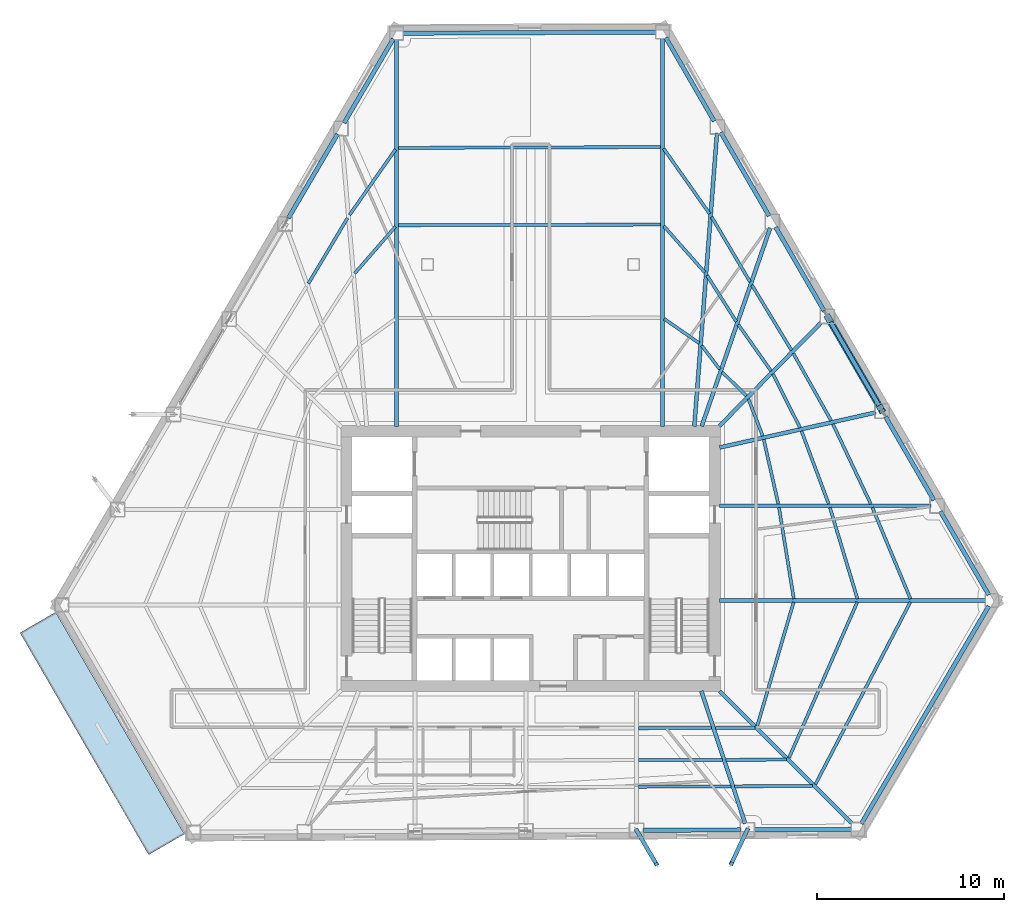
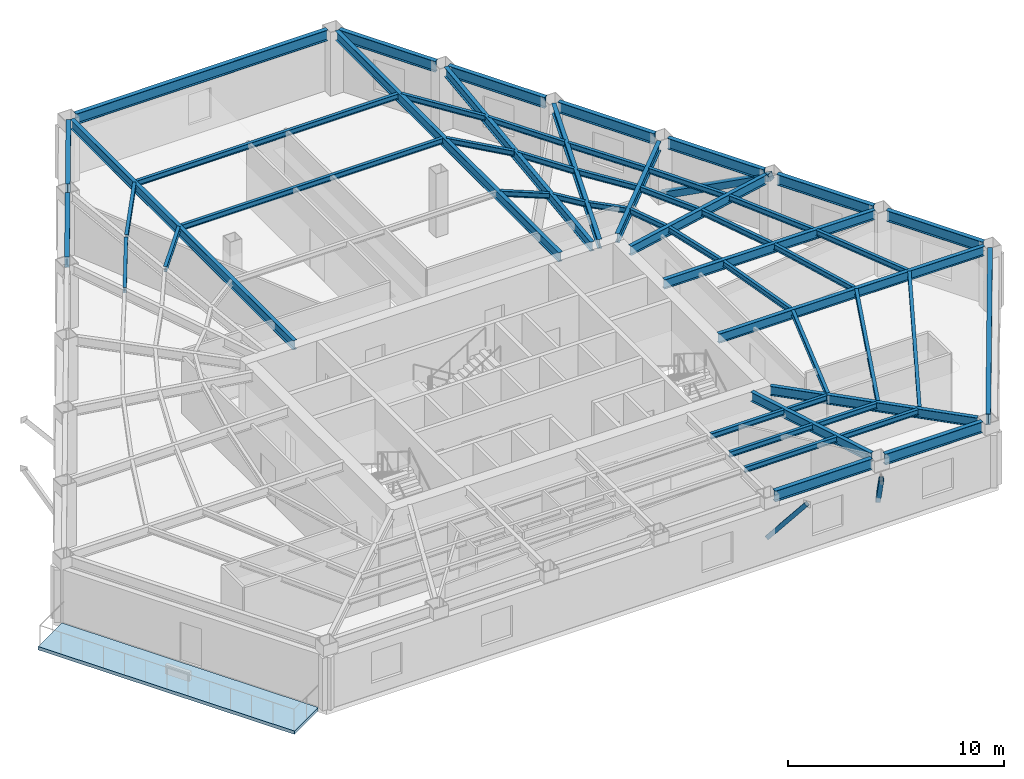
# One storey, part 3 of 15: 54 beams, 3 members, 1 slab.
"""IFC4 building model written with IfcOpenShell, lengths in metres."""

from ifc_helpers import new_model, si_unit, direction, frame, origin, origin_2d, place, context, subcontext, project, spatial, polyline, hollow_rectangle, i_section, outline, extrude, material, layer, layer_set, material_profile, profile_set, type_object, element, save


model = new_model("IFC4")

# Units and contexts
model_context = context("Model", 3, precision=1e-05, world=origin(), true_north=direction((0.0, 1.0)))
body_context = subcontext(model_context, "Body", "Model", "MODEL_VIEW")
ifc_project = project(units=[si_unit("LENGTHUNIT", "METRE"), si_unit("AREAUNIT", "SQUARE_METRE"), si_unit("VOLUMEUNIT", "CUBIC_METRE"), si_unit("PLANEANGLEUNIT", "RADIAN"), si_unit("MASSUNIT", "GRAM", prefix="KILO")], contexts=[model_context])

# Site, building, storey
site_placement = place(None, origin())
site = spatial("IfcSite", under=ifc_project, at=site_placement, CompositionType="ELEMENT")
building_placement = place(site_placement, origin())
building = spatial("IfcBuilding", under=site, at=building_placement, Name="Kavelnor Concourse Tower", CompositionType="ELEMENT")
storey_placement = place(building_placement, frame((0.0, 0.0, 67.60009765625)))
storey = spatial("IfcBuildingStorey", under=building, at=storey_placement, Name="L17", CompositionType="ELEMENT", Elevation=67.60009765625)

# Beams
ifc_material_1 = material(Name="Steel Grade 350", Category="steel")
ifc_material_profile_1 = material_profile(ifc_material_1, i_section(OverallWidth=0.166015625, OverallDepth=0.306884765625, WebThickness=0.006591796875, FlangeThickness=0.01171875, at=origin_2d()), Name="310UB46")
ifc_profile_set_1 = profile_set([ifc_material_profile_1], Name="Steel Grade 350")
beam_type_1 = type_object("IfcBeamType", Name="BM-JOIST-310", PredefinedType="JOIST", material=ifc_profile_set_1)
beam_1_placement = place(storey_placement, frame((43.750244140625, 7.05322265625, 3.4365234375), z_axis=(0.999998683149, 0.001622867846, 0.0), x_axis=(-0.001622867846, 0.999998683149, 0.0)))
element("IfcBeam", 1, at=beam_1_placement, inside=storey, type_object=beam_type_1, Name="L17 Secondary Composite Joist 06-1", PredefinedType="JOIST", context=body_context, shape_type="SweptSolid", body=[
    extrude(i_section(OverallWidth=0.166015625, OverallDepth=0.306884765625, WebThickness=0.006591796875, FlangeThickness=0.01171875, at=origin_2d()), origin(), (0.0, 0.0, 1.0), 3.911376953125),
])
beam_2_placement = place(storey_placement, frame((43.750244140625, 5.350341796875, 3.4365234375), z_axis=(0.999995656809, 0.002947263698, 0.0), x_axis=(-0.002947263698, 0.999995656809, 0.0)))
element("IfcBeam", 2, at=beam_2_placement, inside=storey, type_object=beam_type_1, Name="L17 Secondary Composite Joist 06-2", PredefinedType="JOIST", context=body_context, shape_type="SweptSolid", body=[
    extrude(i_section(OverallWidth=0.166015625, OverallDepth=0.306884765625, WebThickness=0.006591796875, FlangeThickness=0.01171875, at=origin_2d()), origin(), (0.0, 0.0, 1.0), 4.47314453125),
])
beam_3_placement = place(storey_placement, frame((43.750244140625, 3.93115234375, 3.4365234375), z_axis=(0.99999238275, 0.003903132324, 0.0), x_axis=(-0.003903132324, 0.99999238275, 0.0)))
element("IfcBeam", 3, at=beam_3_placement, inside=storey, type_object=beam_type_1, Name="L17 Secondary Composite Joist 06-3", PredefinedType="JOIST", context=body_context, shape_type="SweptSolid", body=[
    extrude(i_section(OverallWidth=0.166015625, OverallDepth=0.306884765625, WebThickness=0.006591796875, FlangeThickness=0.01171875, at=origin_2d()), origin(), (0.0, 0.0, 1.0), 4.94140625),
])
beam_4_placement = place(storey_placement, frame((47.8583984375, 7.059814453125, 3.4365234375), z_axis=(0.99999885935, 0.00151039679, 0.0), x_axis=(-0.00151039679, 0.99999885935, 0.0)))
element("IfcBeam", 4, at=beam_4_placement, inside=storey, type_object=beam_type_1, Name="L17 Secondary Composite Joist 07-1", PredefinedType="JOIST", context=body_context, shape_type="SweptSolid", body=[
    extrude(i_section(OverallWidth=0.166015625, OverallDepth=0.306884765625, WebThickness=0.006591796875, FlangeThickness=0.01171875, at=origin_2d()), origin(), (0.0, 0.0, 1.0), 2.101318359375),
])
beam_5_placement = place(storey_placement, frame((48.42041015625, 5.364501953125, 3.4365234375), z_axis=(0.99999133007, 0.004164106841, 0.0), x_axis=(-0.004164106841, 0.99999133007, 0.0)))
element("IfcBeam", 5, at=beam_5_placement, inside=storey, type_object=beam_type_1, Name="L17 Secondary Composite Joist 07-2", PredefinedType="JOIST", context=body_context, shape_type="SweptSolid", body=[
    extrude(i_section(OverallWidth=0.166015625, OverallDepth=0.306884765625, WebThickness=0.006591796875, FlangeThickness=0.01171875, at=origin_2d()), origin(), (0.0, 0.0, 1.0), 3.224609375),
])
beam_6_placement = place(storey_placement, frame((48.888671875, 3.951416015625, 3.4365234375), z_axis=(0.999985432229, 0.005397715311, 0.0), x_axis=(-0.005397715311, 0.999985432229, 0.0)))
element("IfcBeam", 6, at=beam_6_placement, inside=storey, type_object=beam_type_1, Name="L17 Secondary Composite Joist 07-3", PredefinedType="JOIST", context=body_context, shape_type="SweptSolid", body=[
    extrude(i_section(OverallWidth=0.166015625, OverallDepth=0.306884765625, WebThickness=0.006591796875, FlangeThickness=0.01171875, at=origin_2d()), origin(), (0.0, 0.0, 1.0), 4.1611328125),
])
beam_7_placement = place(storey_placement, frame((50.0859375, 7.15771484375, 3.4365234375), z_axis=(0.281642731311, 0.959519344203, 0.0), x_axis=(-0.959519344203, 0.281642731311, 0.0)))
element("IfcBeam", 7, at=beam_7_placement, inside=storey, type_object=beam_type_1, Name="L17 Secondary Composite Joist 08-1", PredefinedType="JOIST", context=body_context, shape_type="SweptSolid", body=[
    extrude(i_section(OverallWidth=0.166015625, OverallDepth=0.306884765625, WebThickness=0.006591796875, FlangeThickness=0.01171875, at=origin_2d()), origin(), (0.0, 0.0, 1.0), 6.892333984375),
])
beam_8_placement = place(storey_placement, frame((51.783203125, 5.468505859375, 3.4365234375), z_axis=(0.401249517147, 0.915968790401, 0.0), x_axis=(-0.915968790401, 0.401249517147, 0.0)))
element("IfcBeam", 8, at=beam_8_placement, inside=storey, type_object=beam_type_1, Name="L17 Secondary Composite Joist 08-2", PredefinedType="JOIST", context=body_context, shape_type="SweptSolid", body=[
    extrude(i_section(OverallWidth=0.166015625, OverallDepth=0.306884765625, WebThickness=0.006591796875, FlangeThickness=0.01171875, at=origin_2d()), origin(), (0.0, 0.0, 1.0), 9.06884765625),
])
beam_9_placement = place(storey_placement, frame((53.193603515625, 4.061767578125, 3.4365234375), z_axis=(0.462019871447, 0.886869572366, 0.0), x_axis=(-0.886869572366, 0.462019871447, 0.0)))
element("IfcBeam", 9, at=beam_9_placement, inside=storey, type_object=beam_type_1, Name="L17 Secondary Composite Joist 08-3", PredefinedType="JOIST", context=body_context, shape_type="SweptSolid", body=[
    extrude(i_section(OverallWidth=0.166015625, OverallDepth=0.306884765625, WebThickness=0.006591796875, FlangeThickness=0.01171875, at=origin_2d()), origin(), (0.0, 0.0, 1.0), 10.955810546875),
])
beam_10_placement = place(storey_placement, frame((52.0390625, 13.962646484375, 3.4365234375), z_axis=(-0.16020042407, 0.987084507085, 0.0), x_axis=(-0.987084507085, -0.16020042407, 0.0)))
element("IfcBeam", 10, at=beam_10_placement, inside=storey, type_object=beam_type_1, Name="L17 Secondary Composite Joist 09-1", PredefinedType="JOIST", context=body_context, shape_type="SweptSolid", body=[
    extrude(i_section(OverallWidth=0.166015625, OverallDepth=0.306884765625, WebThickness=0.006591796875, FlangeThickness=0.01171875, at=origin_2d()), origin(), (0.0, 0.0, 1.0), 4.923828125),
])
beam_11_placement = place(storey_placement, frame((55.433349609375, 13.959716796875, 3.4365234375), z_axis=(-0.288555179931, 0.957463267251, 0.0), x_axis=(-0.957463267251, -0.288555179931, 0.0)))
element("IfcBeam", 11, at=beam_11_placement, inside=storey, type_object=beam_type_1, Name="L17 Secondary Composite Joist 09-2", PredefinedType="JOIST", context=body_context, shape_type="SweptSolid", body=[
    extrude(i_section(OverallWidth=0.166015625, OverallDepth=0.306884765625, WebThickness=0.006591796875, FlangeThickness=0.01171875, at=origin_2d()), origin(), (0.0, 0.0, 1.0), 5.08251953125),
])
beam_12_placement = place(storey_placement, frame((58.262939453125, 13.956298828125, 3.4365234375), z_axis=(-0.385101221701, 0.922874340875, 0.0), x_axis=(-0.922874340875, -0.385101221701, 0.0)))
element("IfcBeam", 12, at=beam_12_placement, inside=storey, type_object=beam_type_1, Name="L17 Secondary Composite Joist 09-3", PredefinedType="JOIST", context=body_context, shape_type="SweptSolid", body=[
    extrude(i_section(OverallWidth=0.166015625, OverallDepth=0.306884765625, WebThickness=0.006591796875, FlangeThickness=0.01171875, at=origin_2d()), origin(), (0.0, 0.0, 1.0), 5.2802734375),
])
beam_13_placement = place(storey_placement, frame((51.212890625, 19.016357421875, 3.4365234375), z_axis=(-0.220265122054, 0.975440042241, 0.0), x_axis=(-0.975440042241, -0.220265122054, 0.0)))
element("IfcBeam", 13, at=beam_13_placement, inside=storey, type_object=beam_type_1, Name="L17 Secondary Composite Joist 10-1", PredefinedType="JOIST", context=body_context, shape_type="SweptSolid", body=[
    extrude(i_section(OverallWidth=0.166015625, OverallDepth=0.306884765625, WebThickness=0.006591796875, FlangeThickness=0.01171875, at=origin_2d()), origin(), (0.0, 0.0, 1.0), 3.52587890625),
])
beam_14_placement = place(storey_placement, frame((53.90380859375, 19.0126953125, 3.4365234375), z_axis=(-0.349758975108, 0.936839719125, 0.0), x_axis=(-0.936839719125, -0.349758975108, 0.0)))
element("IfcBeam", 14, at=beam_14_placement, inside=storey, type_object=beam_type_1, Name="L17 Secondary Composite Joist 10-2", PredefinedType="JOIST", context=body_context, shape_type="SweptSolid", body=[
    extrude(i_section(OverallWidth=0.166015625, OverallDepth=0.306884765625, WebThickness=0.006591796875, FlangeThickness=0.01171875, at=origin_2d()), origin(), (0.0, 0.0, 1.0), 4.158203125),
])
beam_15_placement = place(storey_placement, frame((56.1494140625, 19.00927734375, 3.4365234375), z_axis=(-0.428041985509, 0.903758849828, 0.0), x_axis=(-0.903758849828, -0.428041985509, 0.0)))
element("IfcBeam", 15, at=beam_15_placement, inside=storey, type_object=beam_type_1, Name="L17 Secondary Composite Joist 10-3", PredefinedType="JOIST", context=body_context, shape_type="SweptSolid", body=[
    extrude(i_section(OverallWidth=0.166015625, OverallDepth=0.306884765625, WebThickness=0.006591796875, FlangeThickness=0.01171875, at=origin_2d()), origin(), (0.0, 0.0, 1.0), 4.731689453125),
])
beam_16_placement = place(storey_placement, frame((50.37939453125, 22.6435546875, 3.4365234375), z_axis=(-0.359202942846, 0.933259474021, 0.0), x_axis=(-0.933259474021, -0.359202942846, 0.0)))
element("IfcBeam", 16, at=beam_16_placement, inside=storey, type_object=beam_type_1, Name="L17 Secondary Composite Joist 11-1", PredefinedType="JOIST", context=body_context, shape_type="SweptSolid", body=[
    extrude(i_section(OverallWidth=0.166015625, OverallDepth=0.306884765625, WebThickness=0.006591796875, FlangeThickness=0.01171875, at=origin_2d()), origin(), (0.0, 0.0, 1.0), 2.119140625),
])
beam_17_placement = place(storey_placement, frame((52.37060546875, 23.08837890625, 3.4365234375), z_axis=(-0.45083857871, 0.892605498497, 0.0), x_axis=(-0.892605498497, -0.45083857871, 0.0)))
element("IfcBeam", 17, at=beam_17_placement, inside=storey, type_object=beam_type_1, Name="L17 Secondary Composite Joist 11-2", PredefinedType="JOIST", context=body_context, shape_type="SweptSolid", body=[
    extrude(i_section(OverallWidth=0.166015625, OverallDepth=0.306884765625, WebThickness=0.006591796875, FlangeThickness=0.01171875, at=origin_2d()), origin(), (0.0, 0.0, 1.0), 3.20263671875),
])
beam_18_placement = place(storey_placement, frame((54.033447265625, 23.460693359375, 3.4365234375), z_axis=(-0.490396305018, 0.871499549067, 0.0), x_axis=(-0.871499549067, -0.490396305018, 0.0)))
element("IfcBeam", 18, at=beam_18_placement, inside=storey, type_object=beam_type_1, Name="L17 Secondary Composite Joist 11-3", PredefinedType="JOIST", context=body_context, shape_type="SweptSolid", body=[
    extrude(i_section(OverallWidth=0.166015625, OverallDepth=0.306884765625, WebThickness=0.006591796875, FlangeThickness=0.01171875, at=origin_2d()), origin(), (0.0, 0.0, 1.0), 4.119140625),
])
beam_19_placement = place(storey_placement, frame((49.5126953125, 24.782470703125, 3.4365234375), z_axis=(-0.712931802459, 0.701233374165, 0.0), x_axis=(-0.701233374165, -0.712931802459, 0.0)))
element("IfcBeam", 19, at=beam_19_placement, inside=storey, type_object=beam_type_1, Name="L17 Secondary Composite Joist 12-1", PredefinedType="JOIST", context=body_context, shape_type="SweptSolid", body=[
    extrude(i_section(OverallWidth=0.166015625, OverallDepth=0.306884765625, WebThickness=0.006591796875, FlangeThickness=0.01171875, at=origin_2d()), origin(), (0.0, 0.0, 1.0), 1.815673828125),
])
beam_20_placement = place(storey_placement, frame((50.825439453125, 26.115478515625, 3.4365234375), z_axis=(-0.57701937952, 0.816730454714, 0.0), x_axis=(-0.816730454714, -0.57701937952, 0.0)))
element("IfcBeam", 20, at=beam_20_placement, inside=storey, type_object=beam_type_1, Name="L17 Secondary Composite Joist 12-2", PredefinedType="JOIST", context=body_context, shape_type="SweptSolid", body=[
    extrude(i_section(OverallWidth=0.166015625, OverallDepth=0.306884765625, WebThickness=0.006591796875, FlangeThickness=0.01171875, at=origin_2d()), origin(), (0.0, 0.0, 1.0), 3.021728515625),
])
beam_21_placement = place(storey_placement, frame((51.9140625, 27.220458984375, 3.4365234375), z_axis=(-0.518492089815, 0.855082424565, 0.0), x_axis=(-0.855082424565, -0.518492089815, 0.0)))
element("IfcBeam", 21, at=beam_21_placement, inside=storey, type_object=beam_type_1, Name="L17 Secondary Composite Joist 12-3", PredefinedType="JOIST", context=body_context, shape_type="SweptSolid", body=[
    extrude(i_section(OverallWidth=0.166015625, OverallDepth=0.306884765625, WebThickness=0.006591796875, FlangeThickness=0.01171875, at=origin_2d()), origin(), (0.0, 0.0, 1.0), 4.06396484375),
])
beam_22_placement = place(storey_placement, frame((48.08837890625, 26.202880859375, 3.4365234375), z_axis=(-0.605717442485, 0.795679822459, 0.0), x_axis=(-0.795679822459, -0.605717442485, 0.0)))
element("IfcBeam", 22, at=beam_22_placement, inside=storey, type_object=beam_type_1, Name="L17 Secondary Composite Joist 13-1", PredefinedType="JOIST", context=body_context, shape_type="SweptSolid", body=[
    extrude(i_section(OverallWidth=0.166015625, OverallDepth=0.306884765625, WebThickness=0.006591796875, FlangeThickness=0.01171875, at=origin_2d()), origin(), (0.0, 0.0, 1.0), 1.580810546875),
])
beam_23_placement = place(storey_placement, frame((48.972412109375, 28.7470703125, 3.4365234375), z_axis=(-0.534862711681, 0.84493897984, 0.0), x_axis=(-0.84493897984, -0.534862711681, 0.0)))
element("IfcBeam", 23, at=beam_23_placement, inside=storey, type_object=beam_type_1, Name="L17 Secondary Composite Joist 13-2", PredefinedType="JOIST", context=body_context, shape_type="SweptSolid", body=[
    extrude(i_section(OverallWidth=0.166015625, OverallDepth=0.306884765625, WebThickness=0.006591796875, FlangeThickness=0.01171875, at=origin_2d()), origin(), (0.0, 0.0, 1.0), 2.9140625),
])
beam_24_placement = place(storey_placement, frame((49.705810546875, 30.86474609375, 3.4365234375), z_axis=(-0.509071964844, 0.860723959589, 0.0), x_axis=(-0.860723959589, -0.509071964844, 0.0)))
element("IfcBeam", 24, at=beam_24_placement, inside=storey, type_object=beam_type_1, Name="L17 Secondary Composite Joist 13-3", PredefinedType="JOIST", context=body_context, shape_type="SweptSolid", body=[
    extrude(i_section(OverallWidth=0.166015625, OverallDepth=0.306884765625, WebThickness=0.006591796875, FlangeThickness=0.01171875, at=origin_2d()), origin(), (0.0, 0.0, 1.0), 4.0322265625),
])
beam_25_placement = place(storey_placement, frame((46.990234375, 27.59521484375, 3.4365234375), z_axis=(-0.820713106294, 0.571340526443, 0.0), x_axis=(-0.571340526443, -0.820713106294, 0.0)))
element("IfcBeam", 25, at=beam_25_placement, inside=storey, type_object=beam_type_1, Name="L17 Secondary Composite Joist 14-1", PredefinedType="JOIST", context=body_context, shape_type="SweptSolid", body=[
    extrude(i_section(OverallWidth=0.166015625, OverallDepth=0.306884765625, WebThickness=0.006591796875, FlangeThickness=0.01171875, at=origin_2d()), origin(), (0.0, 0.0, 1.0), 2.280029296875),
])
beam_26_placement = place(storey_placement, frame((47.2958984375, 31.3662109375, 3.4365234375), z_axis=(-0.662223792914, 0.749306111078, 0.0), x_axis=(-0.749306111078, -0.662223792914, 0.0)))
element("IfcBeam", 26, at=beam_26_placement, inside=storey, type_object=beam_type_1, Name="L17 Secondary Composite Joist 14-2", PredefinedType="JOIST", context=body_context, shape_type="SweptSolid", body=[
    extrude(i_section(OverallWidth=0.166015625, OverallDepth=0.306884765625, WebThickness=0.006591796875, FlangeThickness=0.01171875, at=origin_2d()), origin(), (0.0, 0.0, 1.0), 3.31103515625),
])
beam_27_placement = place(storey_placement, frame((47.546142578125, 34.500732421875, 3.4365234375), z_axis=(-0.576054604219, 0.817411214113, 0.0), x_axis=(-0.817411214113, -0.576054604219, 0.0)))
element("IfcBeam", 27, at=beam_27_placement, inside=storey, type_object=beam_type_1, Name="L17 Secondary Composite Joist 14-3", PredefinedType="JOIST", context=body_context, shape_type="SweptSolid", body=[
    extrude(i_section(OverallWidth=0.166015625, OverallDepth=0.306884765625, WebThickness=0.006591796875, FlangeThickness=0.01171875, at=origin_2d()), origin(), (0.0, 0.0, 1.0), 4.255615234375),
])
for number, where, z_axis, x_axis, name in (
    (28, (44.939453125, 33.920654296875, 3.4365234375), (-0.999997226531, -0.002355192351, 0.0), (0.002355192351, -0.999997226531, 0.0), "L17 Secondary Composite Joist 15-2"),
    (29, (44.939453125, 38.059326171875, 3.4365234375), (-0.999994735222, -0.0032449236, 0.0), (0.0032449236, -0.999994735222, 0.0), "L17 Secondary Composite Joist 15-3"),
):
    element("IfcBeam", number, at=place(storey_placement, frame(where, z_axis=z_axis, x_axis=x_axis)), inside=storey, type_object=beam_type_1, Name=name, PredefinedType="JOIST", context=body_context, shape_type="SweptSolid", body=[
        extrude(i_section(OverallWidth=0.166015625, OverallDepth=0.306884765625, WebThickness=0.006591796875, FlangeThickness=0.01171875, at=origin_2d()), origin(), (0.0, 0.0, 1.0), 13.994140625),
    ])
beam_28_placement = place(storey_placement, frame((30.7822265625, 33.813232421875, 3.4365234375), z_axis=(-0.656037881698, -0.754727962764, 0.0), x_axis=(0.754727962764, -0.656037881698, 0.0)))
element("IfcBeam", 30, at=beam_28_placement, inside=storey, type_object=beam_type_1, Name="L17 Secondary Composite Joist 16-2", PredefinedType="JOIST", context=body_context, shape_type="SweptSolid", body=[
    extrude(i_section(OverallWidth=0.166015625, OverallDepth=0.306884765625, WebThickness=0.006591796875, FlangeThickness=0.01171875, at=origin_2d()), origin(), (0.0, 0.0, 1.0), 3.304931640625),
])
beam_29_placement = place(storey_placement, frame((30.790283203125, 37.932861328125, 3.4365234375), z_axis=(-0.574408960865, -0.81856847342, 0.0), x_axis=(0.81856847342, -0.574408960865, 0.0)))
element("IfcBeam", 31, at=beam_29_placement, inside=storey, type_object=beam_type_1, Name="L17 Secondary Composite Joist 16-3", PredefinedType="JOIST", context=body_context, shape_type="SweptSolid", body=[
    extrude(i_section(OverallWidth=0.166015625, OverallDepth=0.306884765625, WebThickness=0.006591796875, FlangeThickness=0.01171875, at=origin_2d()), origin(), (0.0, 0.0, 1.0), 4.273681640625),
])
beam_30_placement = place(storey_placement, frame((28.228271484375, 34.269287109375, 3.4365234375), z_axis=(-0.513126955022, -0.858312721582, 0.0), x_axis=(0.858312721582, -0.513126955022, 0.0)))
element("IfcBeam", 32, at=beam_30_placement, inside=storey, type_object=beam_type_1, Name="L17 Secondary Composite Joist 17-3", PredefinedType="JOIST", context=body_context, shape_type="SweptSolid", body=[
    extrude(i_section(OverallWidth=0.166015625, OverallDepth=0.306884765625, WebThickness=0.006591796875, FlangeThickness=0.01171875, at=origin_2d()), origin(), (0.0, 0.0, 1.0), 4.067626953125),
])
ifc_material_profile_2 = material_profile(ifc_material_1, i_section(OverallWidth=0.208984375, OverallDepth=0.528076171875, WebThickness=0.009521484375, FlangeThickness=0.01318359375, at=origin_2d()), Name="530UB82")
ifc_profile_set_2 = profile_set([ifc_material_profile_2], Name="Steel Grade 350")
beam_type_2 = type_object("IfcBeamType", Name="BM-PRIMARY-530", PredefinedType="BEAM", material=ifc_profile_set_2)
beam_31_placement = place(storey_placement, frame((30.846923828125, 23.159912109375, 3.325927734375), z_axis=(0.0, 1.0, 0.0), x_axis=(-1.0, 0.0, 0.0)))
element("IfcBeam", 33, at=beam_31_placement, inside=storey, type_object=beam_type_2, Name="L17 Primary Floor Girder F0-B0", PredefinedType="BEAM", context=body_context, shape_type="SweptSolid", body=[
    extrude(i_section(OverallWidth=0.208984375, OverallDepth=0.528076171875, WebThickness=0.009521484375, FlangeThickness=0.01318359375, at=origin_2d()), origin(), (0.0, 0.0, 1.0), 20.6298828125),
])
beam_32_placement = place(storey_placement, frame((47.1044921875, 9.0380859375, 3.325927734375), z_axis=(0.314544667857, -0.949242672831, 0.0), x_axis=(0.949242672831, 0.314544667857, 0.0)))
element("IfcBeam", 34, at=beam_32_placement, inside=storey, type_object=beam_type_2, Name="L17 Primary Floor Girder F1-B5", PredefinedType="BEAM", context=body_context, shape_type="SweptSolid", body=[
    extrude(i_section(OverallWidth=0.208984375, OverallDepth=0.528076171875, WebThickness=0.009521484375, FlangeThickness=0.01318359375, at=origin_2d()), origin(), (0.0, 0.0, 1.0), 7.443603515625),
])
beam_33_placement = place(storey_placement, frame((48.091796875, 9.02880859375, 3.325927734375), z_axis=(0.707241996171, -0.706971540341, 0.0), x_axis=(0.706971540341, 0.707241996171, 0.0)))
element("IfcBeam", 35, at=beam_33_placement, inside=storey, type_object=beam_type_2, Name="L17 Primary Floor Girder F1-B6", PredefinedType="BEAM", context=body_context, shape_type="SweptSolid", body=[
    extrude(i_section(OverallWidth=0.208984375, OverallDepth=0.528076171875, WebThickness=0.009521484375, FlangeThickness=0.01318359375, at=origin_2d()), origin(), (0.0, 0.0, 1.0), 9.9296875),
])
beam_34_placement = place(storey_placement, frame((48.080078125, 13.865478515625, 3.325927734375), z_axis=(1.0, 0.0, 0.0), x_axis=(0.0, 1.0, 0.0)))
element("IfcBeam", 36, at=beam_34_placement, inside=storey, type_object=beam_type_2, Name="L17 Primary Floor Girder F2-B0", PredefinedType="BEAM", context=body_context, shape_type="SweptSolid", body=[
    extrude(i_section(OverallWidth=0.208984375, OverallDepth=0.528076171875, WebThickness=0.009521484375, FlangeThickness=0.01318359375, at=origin_2d()), origin(), (0.0, 0.0, 1.0), 14.195556640625),
])
beam_35_placement = place(storey_placement, frame((48.080078125, 18.92041015625, 3.325927734375), z_axis=(1.0, 0.0, 0.0), x_axis=(0.0, 1.0, 0.0)))
element("IfcBeam", 37, at=beam_35_placement, inside=storey, type_object=beam_type_2, Name="L17 Primary Floor Girder F2-B1", PredefinedType="BEAM", context=body_context, shape_type="SweptSolid", body=[
    extrude(i_section(OverallWidth=0.208984375, OverallDepth=0.528076171875, WebThickness=0.009521484375, FlangeThickness=0.01318359375, at=origin_2d()), origin(), (0.0, 0.0, 1.0), 11.26611328125),
])
beam_36_placement = place(storey_placement, frame((48.0810546875, 22.02783203125, 3.325927734375), z_axis=(0.975726224121, 0.218993916727, 0.0), x_axis=(-0.218993916727, 0.975726224121, 0.0)))
element("IfcBeam", 38, at=beam_36_placement, inside=storey, type_object=beam_type_2, Name="L17 Primary Floor Girder F2-B2", PredefinedType="BEAM", context=body_context, shape_type="SweptSolid", body=[
    extrude(i_section(OverallWidth=0.208984375, OverallDepth=0.528076171875, WebThickness=0.009521484375, FlangeThickness=0.01318359375, at=origin_2d()), origin(), (0.0, 0.0, 1.0), 8.541748046875),
])
beam_37_placement = place(storey_placement, frame((48.06689453125, 23.17138671875, 3.325927734375), z_axis=(0.701090661609, 0.713072145161, 0.0), x_axis=(-0.713072145161, 0.701090661609, 0.0)))
element("IfcBeam", 39, at=beam_37_placement, inside=storey, type_object=beam_type_2, Name="L17 Primary Floor Girder F2-B3", PredefinedType="BEAM", context=body_context, shape_type="SweptSolid", body=[
    extrude(i_section(OverallWidth=0.208984375, OverallDepth=0.528076171875, WebThickness=0.009521484375, FlangeThickness=0.01318359375, at=origin_2d()), origin(), (0.0, 0.0, 1.0), 7.72265625),
])
beam_38_placement = place(storey_placement, frame((47.125, 23.162109375, 3.325927734375), z_axis=(0.326449748436, 0.945214558577, 0.0), x_axis=(-0.945214558577, 0.326449748436, 0.0)))
element("IfcBeam", 40, at=beam_38_placement, inside=storey, type_object=beam_type_2, Name="L17 Primary Floor Girder F2-B4", PredefinedType="BEAM", context=body_context, shape_type="SweptSolid", body=[
    extrude(i_section(OverallWidth=0.208984375, OverallDepth=0.528076171875, WebThickness=0.009521484375, FlangeThickness=0.01318359375, at=origin_2d()), origin(), (0.0, 0.0, 1.0), 11.193359375),
])
beam_39_placement = place(storey_placement, frame((46.73291015625, 23.16015625, 3.325927734375), z_axis=(0.077044039291, 0.997027690694, 0.0), x_axis=(-0.997027690694, 0.077044039291, 0.0)))
element("IfcBeam", 41, at=beam_39_placement, inside=storey, type_object=beam_type_2, Name="L17 Primary Floor Girder F2-B5", PredefinedType="BEAM", context=body_context, shape_type="SweptSolid", body=[
    extrude(i_section(OverallWidth=0.208984375, OverallDepth=0.528076171875, WebThickness=0.009521484375, FlangeThickness=0.01318359375, at=origin_2d()), origin(), (0.0, 0.0, 1.0), 15.685791015625),
])
beam_40_placement = place(storey_placement, frame((45.0380859375, 23.159912109375, 3.325927734375), z_axis=(0.0, 1.0, 0.0), x_axis=(-1.0, 0.0, 0.0)))
element("IfcBeam", 42, at=beam_40_placement, inside=storey, type_object=beam_type_2, Name="L17 Primary Floor Girder F2-B6", PredefinedType="BEAM", context=body_context, shape_type="SweptSolid", body=[
    extrude(i_section(OverallWidth=0.208984375, OverallDepth=0.528076171875, WebThickness=0.009521484375, FlangeThickness=0.01318359375, at=origin_2d()), origin(), (0.0, 0.0, 1.0), 20.694091796875),
])
ifc_material_profile_3 = material_profile(ifc_material_1, i_section(OverallWidth=0.22900390625, OverallDepth=0.612060546875, WebThickness=0.011962890625, FlangeThickness=0.01953125, at=origin_2d()), Name="610UB125")
ifc_profile_set_3 = profile_set([ifc_material_profile_3], Name="Steel Grade 350")
beam_type_3 = type_object("IfcBeamType", Name="BM-SPANDREL-Z1", PredefinedType="SPANDREL", material=ifc_profile_set_3)
for number, where, z_axis, x_axis, name in (
    (43, (30.672607421875, 43.832275390625, 3.283935546875), (-0.505318213168, -0.86293308167, 0.0), (0.86293308167, -0.505318213168, 0.0), "L17 Perimeter Tube Spandrel Beam F0-B0"),
    (44, (27.6962890625, 38.74951171875, 3.283935546875), (-0.505373646849, -0.862900618305, 0.0), (0.862900618305, -0.505373646849, 0.0), "L17 Perimeter Tube Spandrel Beam F0-B1"),
):
    element("IfcBeam", number, at=place(storey_placement, frame(where, z_axis=z_axis, x_axis=x_axis)), inside=storey, type_object=beam_type_3, Name=name, PredefinedType="SPANDREL", context=body_context, shape_type="SweptSolid", body=[
        extrude(i_section(OverallWidth=0.22900390625, OverallDepth=0.612060546875, WebThickness=0.011962890625, FlangeThickness=0.01953125, at=origin_2d()), origin(), (0.0, 0.0, 1.0), 5.199951171875),
    ])
beam_41_placement = place(storey_placement, frame((44.693115234375, 44.1923828125, 3.283935546875), z_axis=(-0.999989863311, -0.004502585414, 0.0), x_axis=(0.004502585414, -0.999989863311, 0.0)))
element("IfcBeam", 45, at=beam_41_placement, inside=storey, type_object=beam_type_3, Name="L17 Chamfer Facet Spandrel Beam C0", PredefinedType="SPANDREL", context=body_context, shape_type="SweptSolid", body=[
    extrude(i_section(OverallWidth=0.22900390625, OverallDepth=0.612060546875, WebThickness=0.011962890625, FlangeThickness=0.01953125, at=origin_2d()), origin(), (0.0, 0.0, 1.0), 13.50146484375),
])
for number, where, z_axis, x_axis, name in (
    (46, (43.996826171875, 1.60546875, 3.283935546875), (0.999989909868, 0.004492233568, 0.0), (-0.004492233568, 0.999989909868, 0.0), "L17 Perimeter Tube Spandrel Beam F1-B4"),
    (47, (49.904052734375, 1.632080078125, 3.283935546875), (0.999989909868, 0.004492233568, 0.0), (-0.004492233568, 0.999989909868, 0.0), "L17 Perimeter Tube Spandrel Beam F1-B5"),
):
    element("IfcBeam", number, at=place(storey_placement, frame(where, z_axis=z_axis, x_axis=x_axis)), inside=storey, type_object=beam_type_3, Name=name, PredefinedType="SPANDREL", context=body_context, shape_type="SweptSolid", body=[
        extrude(i_section(OverallWidth=0.22900390625, OverallDepth=0.612060546875, WebThickness=0.011962890625, FlangeThickness=0.01953125, at=origin_2d()), origin(), (0.0, 0.0, 1.0), 5.21728515625),
    ])
for number, where, z_axis, x_axis, name in (
    (48, (62.442626953125, 14.1640625, 3.283935546875), (-0.501426603974, 0.865200185406, 0.0), (-0.865200185406, -0.501426603974, 0.0), "L17 Perimeter Tube Spandrel Beam F2-B0"),
    (49, (59.51318359375, 19.21875, 3.283935546875), (-0.50146207366, 0.865179627985, 0.0), (-0.865179627985, -0.50146207366, 0.0), "L17 Perimeter Tube Spandrel Beam F2-B1"),
    (50, (56.58349609375, 24.2734375, 3.283935546875), (-0.50146207366, 0.865179627985, 0.0), (-0.865179627985, -0.50146207366, 0.0), "L17 Perimeter Tube Spandrel Beam F2-B2"),
    (51, (53.65380859375, 29.328125, 3.283935546875), (-0.501426603974, 0.865200185406, 0.0), (-0.865200185406, -0.501426603974, 0.0), "L17 Perimeter Tube Spandrel Beam F2-B3"),
    (52, (50.72412109375, 34.383056640625, 3.283935546875), (-0.501426603974, 0.865200185406, 0.0), (-0.865200185406, -0.501426603974, 0.0), "L17 Perimeter Tube Spandrel Beam F2-B4"),
    (53, (47.794677734375, 39.437744140625, 3.283935546875), (-0.50146207366, 0.865179627985, 0.0), (-0.865179627985, -0.50146207366, 0.0), "L17 Perimeter Tube Spandrel Beam F2-B5"),
):
    element("IfcBeam", number, at=place(storey_placement, frame(where, z_axis=z_axis, x_axis=x_axis)), inside=storey, type_object=beam_type_3, Name=name, PredefinedType="SPANDREL", context=body_context, shape_type="SweptSolid", body=[
        extrude(i_section(OverallWidth=0.22900390625, OverallDepth=0.612060546875, WebThickness=0.011962890625, FlangeThickness=0.01953125, at=origin_2d()), origin(), (0.0, 0.0, 1.0), 5.15234375),
    ])
beam_42_placement = place(storey_placement, frame((55.640625, 1.954833984375, 3.283935546875), z_axis=(0.505340011685, 0.862920316478, 0.0), x_axis=(-0.862920316478, 0.505340011685, 0.0)))
element("IfcBeam", 54, at=beam_42_placement, inside=storey, type_object=beam_type_3, Name="L17 Chamfer Facet Spandrel Beam C2", PredefinedType="SPANDREL", context=body_context, shape_type="SweptSolid", body=[
    extrude(i_section(OverallWidth=0.22900390625, OverallDepth=0.612060546875, WebThickness=0.011962890625, FlangeThickness=0.01953125, at=origin_2d()), origin(), (0.0, 0.0, 1.0), 13.457763671875),
])

# Members
ifc_material_profile_4 = material_profile(ifc_material_1, hollow_rectangle(XDim=0.219970703125, YDim=0.219970703125, WallThickness=0.013916015625, at=origin_2d()), Name="SHS 220x220x14")
ifc_profile_set_4 = profile_set([ifc_material_profile_4], Name="Steel Grade 350")
member_type_1 = type_object("IfcMemberType", Name="MBR-BALC-STRUT-220", PredefinedType="STRUT", material=ifc_profile_set_4)
member_1_placement = place(storey_placement, frame((43.65185546875, 1.603759765625, 1.0498046875), z_axis=(0.316133223155, -0.539131155156, 0.780639086107), x_axis=(0.862634563023, 0.505827649182, 0.0)))
element("IfcMember", 55, at=member_1_placement, inside=storey, type_object=member_type_1, Name="L17 Tree Balcony Raking Knee Strut 2-A", PredefinedType="STRUT", context=body_context, shape_type="SweptSolid", body=[
    extrude(hollow_rectangle(XDim=0.219970703125, YDim=0.219970703125, WallThickness=0.013916015625, at=origin_2d()), origin(), (0.0, 0.0, 1.0), 3.3369140625),
])
member_2_placement = place(storey_placement, frame((49.55908203125, 1.630615234375, 1.0498046875), z_axis=(-0.259832235683, -0.549361710563, 0.794159253719), x_axis=(0.903987068778, -0.427559796383, 0.0)))
element("IfcMember", 56, at=member_2_placement, inside=storey, type_object=member_type_1, Name="L17 Tree Balcony Raking Knee Strut 2-B", PredefinedType="STRUT", context=body_context, shape_type="SweptSolid", body=[
    extrude(hollow_rectangle(XDim=0.219970703125, YDim=0.219970703125, WallThickness=0.013916015625, at=origin_2d()), origin(), (0.0, 0.0, 1.0), 3.2802734375),
])
ifc_material_profile_5 = material_profile(ifc_material_1, hollow_rectangle(XDim=0.35009765625, YDim=0.35009765625, WallThickness=0.02001953125, at=origin_2d()), Name="SHS 350x350x20")
ifc_profile_set_5 = profile_set([ifc_material_profile_5], Name="Steel Grade 350")
member_type_2 = type_object("IfcMemberType", Name="MBR-TUBE-DIAG-Z1", PredefinedType="BRACE", material=ifc_profile_set_5)
member_3_placement = place(storey_placement, frame((53.826904296875, 29.02978515625, 0.219970703125), z_axis=(0.444091834185, -0.766206444581, 0.464446043252), x_axis=(0.865182042792, 0.501457907337, 0.0)))
element("IfcMember", 57, at=member_3_placement, inside=storey, type_object=member_type_2, Name="L17 Framed-Tube Bracing Diagonal F2-B2", PredefinedType="BRACE", context=body_context, shape_type="SweptSolid", body=[
    extrude(hollow_rectangle(XDim=0.35009765625, YDim=0.35009765625, WallThickness=0.02001953125, at=origin_2d()), origin(), (0.0, 0.0, 1.0), 6.596923828125),
])

# Slab
ifc_material_2 = material(Name="Concrete C40/50", Category="concrete")
ifc_layer = layer(ifc_material_2, 0.18994140625, Name="Concrete C40/50")
ifc_layer_set = layer_set([ifc_layer], Name="Concrete C40/50")
slab_type = type_object("IfcSlabType", Name="SLB-TERRACE-190", PredefinedType="FLOOR", material=ifc_layer_set)
slab_placement = place(storey_placement, frame((0.0, 0.0, -0.190185546875)))
element("IfcSlab", 58, at=slab_placement, inside=storey, type_object=slab_type, Name="L17 Spiralling Sky Terrace Slab", PredefinedType="FLOOR", context=body_context, shape_type="SweptSolid", body=[
    extrude(outline(polyline([(17.61767578125, 0.30224609375), (10.755126953125, 12.14306640625), (12.658447265625, 13.246337890625), (19.521240234375, 1.405517578125), (17.61767578125, 0.30224609375)])), origin(), (0.0, 0.0, 1.0), 0.190185546875),
])

save(model, "model.ifc")
